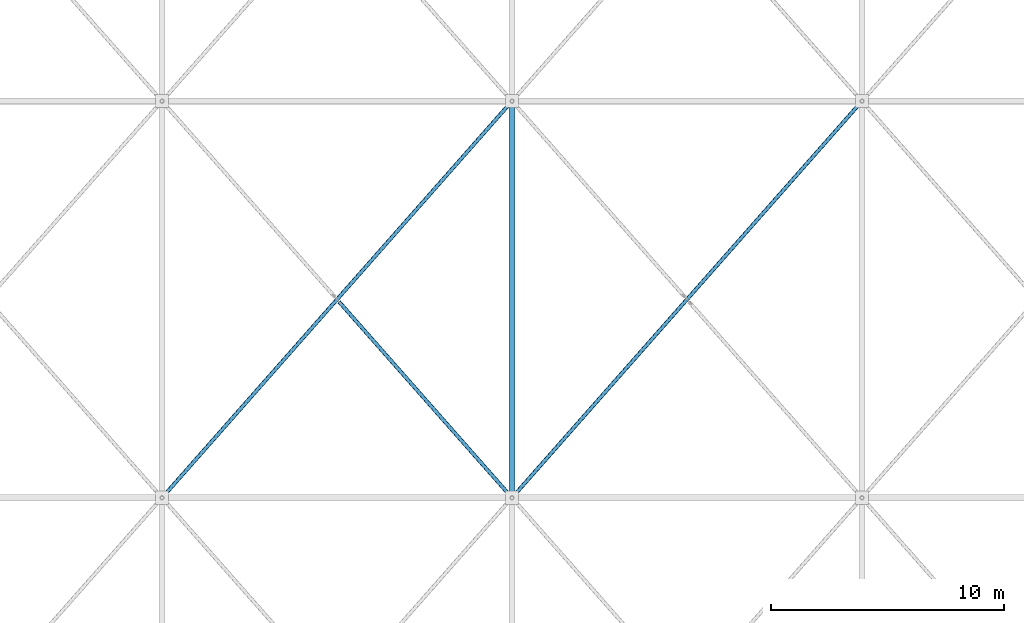
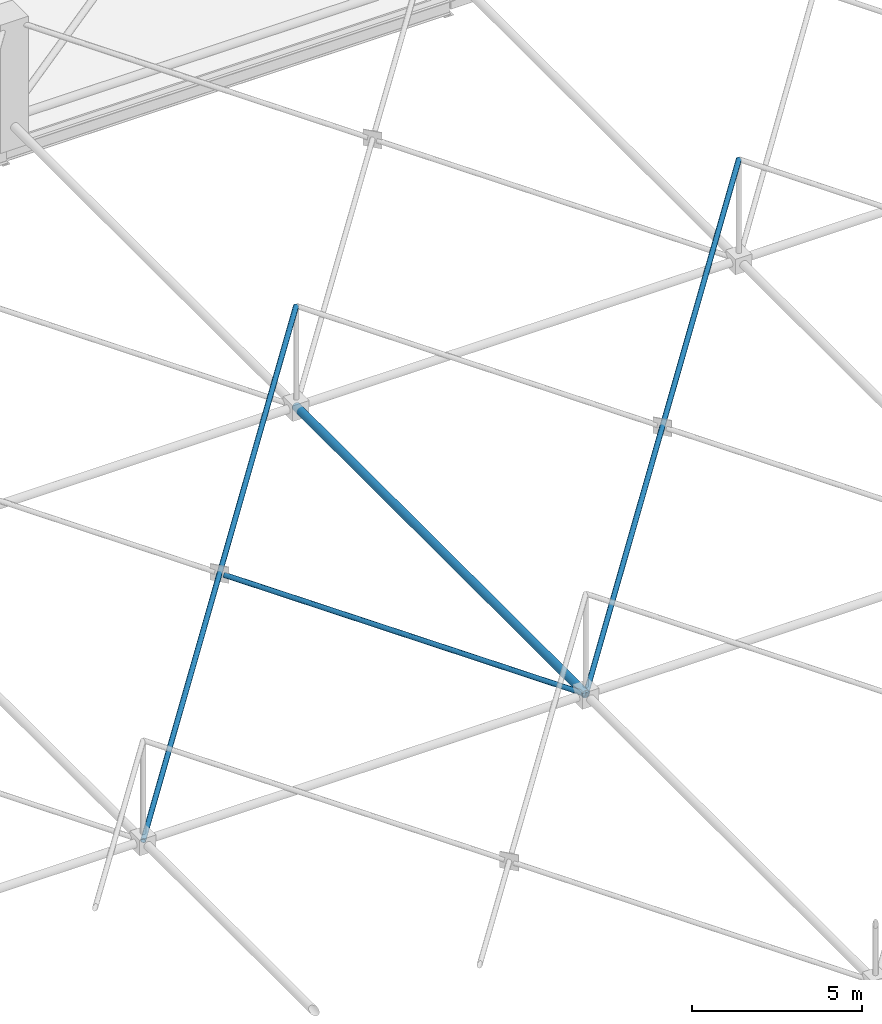
# One storey, part 96 of 224: 4 members.
"""IFC4 building model written with IfcOpenShell, lengths in metres."""

import ifcopenshell
import ifcopenshell.guid

model = None  # the IFC model being written
_history = None  # IfcOwnerHistory: only IFC2X3 demands one
_inside = {}  # id of a spatial element -> (the spatial element, [elements in it])
_under = {}  # id of a project, library or spatial element -> (it, [spatial elements below it])
_declared = {}  # id of a project -> (the project, [libraries it declares])
_typed = {}  # id of a type object -> (the type object, [elements of that type])
_made_of = {}  # id of a material, layer set ... -> (it, [elements and type objects made of it])


def new_model(schema):
    """Start an empty IFC model of exactly this schema.

    Asked for "IFC4X3", IfcOpenShell would pick the latest addendum, in which some entities
    have other attributes; the version numbers below select the first issue.
    IFC2X3 requires an IfcOwnerHistory on every rooted entity: one is made here for all.
    """
    global model, _history
    if schema == "IFC4X3":
        model = ifcopenshell.file(schema_version=(4, 3, 0, 0))
    else:
        model = ifcopenshell.file(schema=schema)
    _inside.clear()
    _under.clear()
    _declared.clear()
    _typed.clear()
    _made_of.clear()
    _history = None
    if model.schema == "IFC2X3":
        org = make("IfcOrganization", Name="unknown")
        user = make(
            "IfcPersonAndOrganization",
            ThePerson=make("IfcPerson", FamilyName="unknown"),
            TheOrganization=org,
        )
        app = make(
            "IfcApplication",
            ApplicationDeveloper=org,
            Version="unknown",
            ApplicationFullName="unknown",
            ApplicationIdentifier="unknown",
        )
        _history = make(
            "IfcOwnerHistory",
            OwningUser=user,
            OwningApplication=app,
            ChangeAction="ADDED",
            CreationDate=0,
        )
    return model


def make(cls, **values):
    """One entity of the class cls with the attributes given. An attribute that is None is left unset."""
    return model.create_entity(
        cls, **{name: value for name, value in values.items() if value is not None}
    )


def rooted(cls, **values):
    """An entity with a GlobalId (a new one), such as an element, a storey or a relation."""
    return make(cls, GlobalId=ifcopenshell.guid.new(), OwnerHistory=_history, **values)


def si_unit(unit_type, name, prefix=None):
    """IfcSIUnit, for example si_unit("LENGTHUNIT", "METRE", prefix="MILLI")."""
    return make("IfcSIUnit", UnitType=unit_type, Prefix=prefix, Name=name)


def assignment(units):
    """IfcUnitAssignment: the units of a project."""
    return None if units is None else make("IfcUnitAssignment", Units=units)


def point(xyz):
    """IfcCartesianPoint."""
    return None if xyz is None else make("IfcCartesianPoint", Coordinates=xyz)


def direction(xyz):
    """IfcDirection."""
    return None if xyz is None else make("IfcDirection", DirectionRatios=xyz)


def frame(location, z_axis=None, x_axis=None):
    """IfcAxis2Placement3D, a coordinate frame: its origin and axes. An axis left out is left unset."""
    return make(
        "IfcAxis2Placement3D",
        Location=point(location),
        Axis=direction(z_axis),
        RefDirection=direction(x_axis),
    )


def frame_2d(location, x_axis=None):
    """IfcAxis2Placement2D, a coordinate frame in the plane: its origin and x axis."""
    return make(
        "IfcAxis2Placement2D", Location=point(location), RefDirection=direction(x_axis)
    )


def origin():
    """The frame at (0, 0, 0) with its axes left unset."""
    return frame((0.0, 0.0, 0.0))


def origin_2d():
    """The frame at (0, 0) in the plane with its x axis left unset."""
    return frame_2d((0.0, 0.0))


def place(relative_to, where):
    """IfcLocalPlacement: puts the frame where relative to a parent placement (None: the world)."""
    return make(
        "IfcLocalPlacement", PlacementRelTo=relative_to, RelativePlacement=where
    )


def context(
    kind, dimensions, precision=None, world=None, true_north=None, identifier=None
):
    """IfcGeometricRepresentationContext, for example the 3D "Model" context."""
    return make(
        "IfcGeometricRepresentationContext",
        ContextIdentifier=identifier,
        ContextType=kind,
        CoordinateSpaceDimension=dimensions,
        Precision=precision,
        WorldCoordinateSystem=world,
        TrueNorth=true_north,
    )


def subcontext(parent, identifier, kind, view, scale=None):
    """IfcGeometricRepresentationSubContext, for example "Body" below "Model"."""
    return make(
        "IfcGeometricRepresentationSubContext",
        ContextIdentifier=identifier,
        ContextType=kind,
        ParentContext=parent,
        TargetScale=scale,
        TargetView=view,
    )


def project(units=None, contexts=None):
    """IfcProject with its units and contexts."""
    return rooted(
        "IfcProject",
        Name="project",
        RepresentationContexts=contexts,
        UnitsInContext=assignment(units),
    )


def spatial(cls, under=None, at=None, **own):
    """A site, building, storey or space (cls), placed at a placement, below another one or the project."""
    s = rooted(cls, ObjectPlacement=at, **own)
    if under is not None:
        _under.setdefault(under.id(), (under, []))[1].append(s)
    return s


def profile(cls, at=None, kind="AREA", **sizes):
    """A parametric profile (cls). Its sizes go by their IFC names, for example OverallWidth=200.0."""
    return make(cls, ProfileType=kind, Position=at, **sizes)


def hollow_circle(**sizes):
    """IfcCircleHollowProfileDef."""
    return profile("IfcCircleHollowProfileDef", **sizes)


def extrude(swept, where, along, depth):
    """IfcExtrudedAreaSolid: the profile swept, set in the frame where, extruded along a direction by depth."""
    return make(
        "IfcExtrudedAreaSolid",
        SweptArea=swept,
        Position=where,
        ExtrudedDirection=direction(along),
        Depth=depth,
    )


def shape(context_of_items, identifier, shape_type, items):
    """IfcShapeRepresentation: the items that make up one representation, for example the "Body"."""
    return make(
        "IfcShapeRepresentation",
        ContextOfItems=context_of_items,
        RepresentationIdentifier=identifier,
        RepresentationType=shape_type,
        Items=items,
    )


def material(Name=None, Category=None):
    """IfcMaterial."""
    return make("IfcMaterial", Name=Name, Category=Category)


def material_profile(
    of_material, cross_section, Name=None, Category=None, Priority=None
):
    """IfcMaterialProfile: a cross section and its material."""
    return make(
        "IfcMaterialProfile",
        Name=Name,
        Material=of_material,
        Profile=cross_section,
        Priority=Priority,
        Category=Category,
    )


def profile_set(profiles, Name=None, composite=None):
    """IfcMaterialProfileSet."""
    return make(
        "IfcMaterialProfileSet",
        Name=Name,
        MaterialProfiles=profiles,
        CompositeProfile=composite,
    )


def made_of(thing, what):
    """Note that an element or type object is made of a material, layer set ...; save() writes the relation."""
    if what is not None:
        _made_of.setdefault(what.id(), (what, []))[1].append(thing)
    return thing


def type_object(cls, material=None, **own):
    """A type object (cls), such as IfcWallType, which elements share."""
    return made_of(rooted(cls, **own), material)


def element(
    cls,
    number,
    at=None,
    inside=None,
    cuts=None,
    type_object=None,
    material=None,
    context=None,
    identifier="Body",
    shape_type=None,
    held_by="IfcProductDefinitionShape",
    body=None,
    shapes=None,
    **own,
):
    """One element of the class cls, such as IfcWall. Its Tag is "e" and its number.

    at: its placement. inside: the storey or other place that contains it. cuts: it is an
    opening in that element (IfcRelVoidsElement). A single representation is given by context,
    identifier, shape_type and body (its items); several are given by shapes. held_by: the class
    of the entity that holds the representations. save() writes the other relations.
    """
    e = rooted(cls, Tag="e%d" % number, ObjectPlacement=at, **own)
    if body is not None:
        shapes = [shape(context, identifier, shape_type, body)]
    if shapes is not None:
        e.Representation = make(held_by, Representations=shapes)
    if inside is not None:
        _inside.setdefault(inside.id(), (inside, []))[1].append(e)
    if cuts is not None:
        rooted(
            "IfcRelVoidsElement", RelatingBuildingElement=cuts, RelatedOpeningElement=e
        )
    if type_object is not None:
        _typed.setdefault(type_object.id(), (type_object, []))[1].append(e)
    return made_of(e, material)


def aggregate(whole, parts):
    """IfcRelAggregates: a whole, such as a stair, and the parts it consists of."""
    return rooted("IfcRelAggregates", RelatingObject=whole, RelatedObjects=parts)


def save(model, path):
    """Write the relations noted so far, then the file.

    IfcRelAggregates (storeys below a building ...), IfcRelContainedInSpatialStructure (elements
    in a storey), IfcRelDefinesByType, IfcRelAssociatesMaterial and IfcRelDeclares: one each for
    every whole, place, type object, material and project.
    """
    for whole, parts in _under.values():
        aggregate(whole, parts)
    for where, things in _inside.values():
        rooted(
            "IfcRelContainedInSpatialStructure",
            RelatedElements=things,
            RelatingStructure=where,
        )
    for kind, things in _typed.values():
        rooted("IfcRelDefinesByType", RelatedObjects=things, RelatingType=kind)
    for what, things in _made_of.values():
        rooted("IfcRelAssociatesMaterial", RelatedObjects=things, RelatingMaterial=what)
    for by, libraries in _declared.values():
        rooted("IfcRelDeclares", RelatingContext=by, RelatedDefinitions=libraries)
    model.write(path)


model = new_model("IFC4")

# Units and contexts
model_context = context("Model", 3, precision=1e-05, world=origin(), true_north=direction((0.0, 1.0)))
body_context = subcontext(model_context, "Body", "Model", "MODEL_VIEW")
ifc_project = project(units=[si_unit("LENGTHUNIT", "METRE"), si_unit("AREAUNIT", "SQUARE_METRE"), si_unit("VOLUMEUNIT", "CUBIC_METRE"), si_unit("PLANEANGLEUNIT", "RADIAN"), si_unit("MASSUNIT", "GRAM", prefix="KILO")], contexts=[model_context])

# Site, building, storey
site_placement = place(None, origin())
site = spatial("IfcSite", under=ifc_project, at=site_placement, CompositionType="ELEMENT")
building_placement = place(site_placement, origin())
building = spatial("IfcBuilding", under=site, at=building_placement, Name="Qamarlyn Nura Convention Centre", CompositionType="ELEMENT")
storey_placement = place(building_placement, frame((0.0, 0.0, 10.800048828125)))
storey = spatial("IfcBuildingStorey", under=building, at=storey_placement, Name="L02", CompositionType="ELEMENT", Elevation=10.800048828125)

# Members
ifc_material = material(Name="Pearl-white PVDF steel ASTM A500 Grade C", Category="steel")
ifc_material_profile_1 = material_profile(ifc_material, hollow_circle(Radius=0.136474609375, WallThickness=0.012451171875, at=origin_2d()), Name="CHS273X12.5")
ifc_profile_set_1 = profile_set([ifc_material_profile_1], Name="Pearl-white PVDF steel ASTM A500 Grade C")
member_type_1 = type_object("IfcMemberType", Name="SF-BC-MAIN", PredefinedType="CHORD", material=ifc_profile_set_1)
member_1_placement = place(storey_placement, frame((60.0, 69.0, 0.800048828125), z_axis=(0.0, 1.0, 0.0), x_axis=(-1.0, 0.0, 0.0)))
element("IfcMember", 1, at=member_1_placement, inside=storey, type_object=member_type_1, Name="ROOF TRUSS space frame bottom chord Y6-5", PredefinedType="CHORD", context=body_context, shape_type="SweptSolid", body=[
    extrude(hollow_circle(Radius=0.136474609375, WallThickness=0.012451171875, at=origin_2d()), origin(), (0.0, 0.0, 1.0), 17.0),
])
ifc_material_profile_2 = material_profile(ifc_material, hollow_circle(Radius=0.084228515625, WallThickness=0.008056640625, at=origin_2d()), Name="CHS168.3X8")
ifc_profile_set_2 = profile_set([ifc_material_profile_2], Name="Pearl-white PVDF steel ASTM A500 Grade C")
member_type_2 = type_object("IfcMemberType", Name="SF-WEB-STD", PredefinedType="BRACE", material=ifc_profile_set_2)
member_2_placement = place(storey_placement, frame((45.0, 69.0, 0.800048828125), z_axis=(0.653435715467, 0.74056047753, 0.156818190504), x_axis=(-0.749837855365, 0.661621637087, 0.0)))
element("IfcMember", 2, at=member_2_placement, inside=storey, type_object=member_type_2, Name="ROOF TRUSS space frame diagonal A 5-5", PredefinedType="BRACE", context=body_context, shape_type="SweptSolid", body=[
    extrude(hollow_circle(Radius=0.084228515625, WallThickness=0.008056640625, at=origin_2d()), origin(), (0.0, 0.0, 1.0), 22.95556640625),
])
member_3_placement = place(storey_placement, frame((60.0, 69.0, 0.800048828125), z_axis=(-0.653436826791, 0.740561737029, 0.156807611557), x_axis=(-0.749837855365, -0.661621637087, 0.0)))
element("IfcMember", 3, at=member_3_placement, inside=storey, type_object=member_type_2, Name="ROOF TRUSS space frame split diagonal B1 5-5", PredefinedType="BRACE", context=body_context, shape_type="SweptSolid", body=[
    extrude(hollow_circle(Radius=0.084228515625, WallThickness=0.008056640625, at=origin_2d()), origin(), (0.0, 0.0, 1.0), 11.337646484375),
])
member_4_placement = place(storey_placement, frame((60.0, 69.0, 0.800048828125), z_axis=(0.653435715467, 0.74056047753, 0.156818190504), x_axis=(-0.749837855365, 0.661621637087, 0.0)))
element("IfcMember", 4, at=member_4_placement, inside=storey, type_object=member_type_2, Name="ROOF TRUSS space frame diagonal A 6-5", PredefinedType="BRACE", context=body_context, shape_type="SweptSolid", body=[
    extrude(hollow_circle(Radius=0.084228515625, WallThickness=0.008056640625, at=origin_2d()), origin(), (0.0, 0.0, 1.0), 22.95556640625),
])

save(model, "model.ifc")
